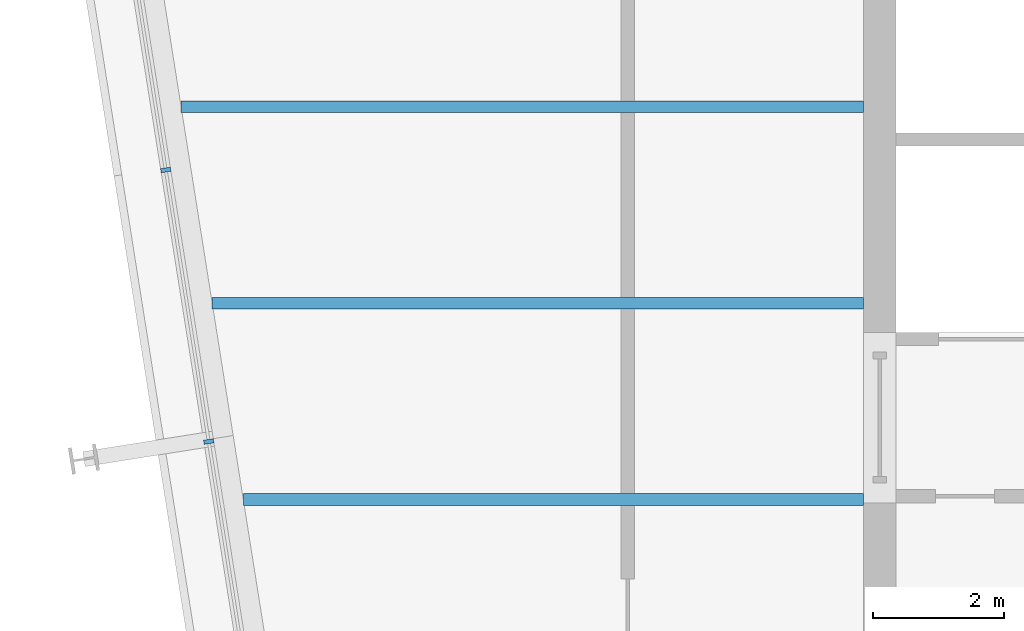
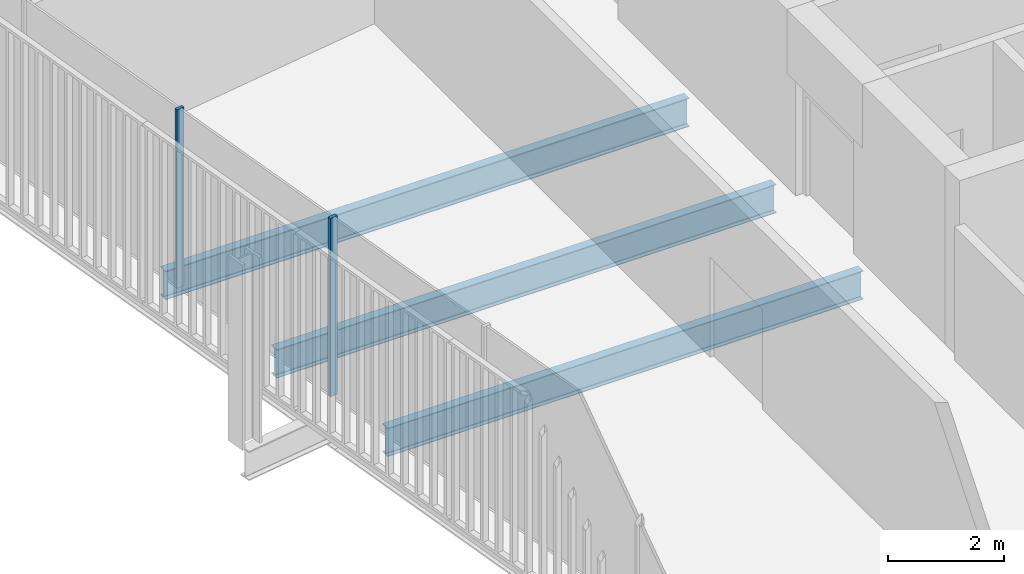
# One storey, part 4 of 20: 3 beams, 2 members, 1 element without a shape of its own.
"""IFC4 building model written with IfcOpenShell, lengths in metres."""

from ifc_helpers import new_model, si_unit, direction, frame, origin, origin_2d, place, context, subcontext, project, spatial, rectangle, i_section, extrude, material, layer, layer_set, material_profile, profile_set, type_object, element, aggregate, save


model = new_model("IFC4")

# Units and contexts
model_context = context("Model", 3, precision=1e-05, world=origin(), true_north=direction((0.0, 1.0)))
body_context = subcontext(model_context, "Body", "Model", "MODEL_VIEW")
ifc_project = project(units=[si_unit("LENGTHUNIT", "METRE"), si_unit("AREAUNIT", "SQUARE_METRE"), si_unit("VOLUMEUNIT", "CUBIC_METRE"), si_unit("PLANEANGLEUNIT", "RADIAN"), si_unit("MASSUNIT", "GRAM", prefix="KILO")], contexts=[model_context])

# Site, building, storey
site_placement = place(None, origin())
site = spatial("IfcSite", under=ifc_project, at=site_placement, CompositionType="ELEMENT")
building_placement = place(site_placement, origin())
building = spatial("IfcBuilding", under=site, at=building_placement, Name="Millrace Tower", CompositionType="ELEMENT")
storey_placement = place(building_placement, frame((0.0, 0.0, 216.39990234375)))
storey = spatial("IfcBuildingStorey", under=building, at=storey_placement, Name="L49", CompositionType="ELEMENT", Elevation=216.39990234375)

# Curtain wall, members
ifc_material_1 = material(Name="Aluminium and glass", Category="aluminium")
ifc_layer = layer(ifc_material_1, 0.14990234375)
ifc_layer_set = layer_set([ifc_layer], Name="Aluminium and glass")
curtain_wall_type = type_object("IfcCurtainWallType", Name="CW-1 office vision curtain wall", PredefinedType="NOTDEFINED", material=ifc_layer_set)
curtain_wall_placement = place(storey_placement, origin())
curtain_wall = element("IfcCurtainWall", 1, at=curtain_wall_placement, inside=storey, type_object=curtain_wall_type, Name="Curtain wall D-F08 L49", PredefinedType="NOTDEFINED")
ifc_material_2 = material(Name="Aluminium", Category="aluminium")
ifc_material_profile_1 = material_profile(ifc_material_2, rectangle(XDim=0.06494140625, YDim=0.14990234375, at=origin_2d()))
ifc_profile_set_1 = profile_set([ifc_material_profile_1], Name="Aluminium")
member_type = type_object("IfcMemberType", Name="CW-1 office vision curtain wall mullion", PredefinedType="MULLION", material=ifc_profile_set_1)
member_1_placement = place(storey_placement, frame((-25.057373046875, -0.966064453125, 0.14013671875), z_axis=(0.0, 0.0, 1.0), x_axis=(0.156434471884, -0.987688339511, 0.0)))
member_1 = element("IfcMember", 2, at=member_1_placement, type_object=member_type, Name="CW1 mullion D-F08.6", PredefinedType="MULLION", context=body_context, shape_type="SweptSolid", body=[
    extrude(rectangle(XDim=0.06494140625, YDim=0.14990234375, at=origin_2d()), origin(), (0.0, 0.0, 1.0), 3.760009765625),
])
member_2_placement = place(storey_placement, frame((-24.400390625, -5.1142578125, 0.14013671875), z_axis=(0.0, 0.0, 1.0), x_axis=(0.156434471884, -0.987688339511, 0.0)))
member_2 = element("IfcMember", 3, at=member_2_placement, type_object=member_type, Name="CW1 mullion D-F08.7", PredefinedType="MULLION", context=body_context, shape_type="SweptSolid", body=[
    extrude(rectangle(XDim=0.06494140625, YDim=0.14990234375, at=origin_2d()), origin(), (0.0, 0.0, 1.0), 3.760009765625),
])
aggregate(curtain_wall, [member_1, member_2])

# Beams
ifc_material_3 = material(Name="Steel ASTM A992 Grade 50", Category="steel")
ifc_material_profile_2 = material_profile(ifc_material_3, i_section(OverallWidth=0.177978515625, OverallDepth=0.599365234375, WebThickness=0.010009765625, FlangeThickness=0.012939453125, FilletRadius=0.012939453125, at=origin_2d()))
ifc_profile_set_2 = profile_set([ifc_material_profile_2], Name="Steel ASTM A992 Grade 50")
beam_type_1 = type_object("IfcBeamType", Name="Floor beam W24x55", PredefinedType="JOIST", material=ifc_profile_set_2)
beam_1_placement = place(storey_placement, frame((-23.872802734375, -6.0, -0.459716796875), z_axis=(1.0, 0.0, 0.0), x_axis=(0.0, 1.0, 0.0)))
element("IfcBeam", 4, at=beam_1_placement, inside=storey, type_object=beam_type_1, Name="BM-D-L49-S1-S009", PredefinedType="JOIST", context=body_context, shape_type="SweptSolid", body=[
    extrude(i_section(OverallWidth=0.177978515625, OverallDepth=0.599365234375, WebThickness=0.010009765625, FlangeThickness=0.012939453125, FilletRadius=0.012939453125, at=origin_2d()), origin(), (0.0, 0.0, 1.0), 9.472900390625),
])
beam_2_placement = place(storey_placement, frame((-24.34814453125, -3.0, -0.459716796875), z_axis=(1.0, 0.0, 0.0), x_axis=(0.0, 1.0, 0.0)))
element("IfcBeam", 5, at=beam_2_placement, inside=storey, type_object=beam_type_1, Name="BM-D-L49-S1-S012", PredefinedType="JOIST", context=body_context, shape_type="SweptSolid", body=[
    extrude(i_section(OverallWidth=0.177978515625, OverallDepth=0.599365234375, WebThickness=0.010009765625, FlangeThickness=0.012939453125, FilletRadius=0.012939453125, at=origin_2d()), origin(), (0.0, 0.0, 1.0), 9.9482421875),
])
ifc_material_4 = material(Name="Steel ASTM A992 Grade 50", Category="steel")
ifc_material_profile_3 = material_profile(ifc_material_4, i_section(OverallWidth=0.1787109375, OverallDepth=0.60205078125, WebThickness=0.010986328125, FlangeThickness=0.014892578125, FilletRadius=0.0126953125, at=origin_2d()))
ifc_profile_set_3 = profile_set([ifc_material_profile_3], Name="Steel ASTM A992 Grade 50")
beam_type_2 = type_object("IfcBeamType", Name="Floor beam W24x62", PredefinedType="JOIST", material=ifc_profile_set_3)
beam_3_placement = place(storey_placement, frame((-24.8232421875, 0.0, -0.4609375), z_axis=(1.0, 0.0, 0.0), x_axis=(0.0, 1.0, 0.0)))
element("IfcBeam", 6, at=beam_3_placement, inside=storey, type_object=beam_type_2, Name="BM-D-L49-S1-S015", PredefinedType="JOIST", context=body_context, shape_type="SweptSolid", body=[
    extrude(i_section(OverallWidth=0.1787109375, OverallDepth=0.60205078125, WebThickness=0.010986328125, FlangeThickness=0.014892578125, FilletRadius=0.0126953125, at=origin_2d()), origin(), (0.0, 0.0, 1.0), 10.42333984375),
])

save(model, "model.ifc")
